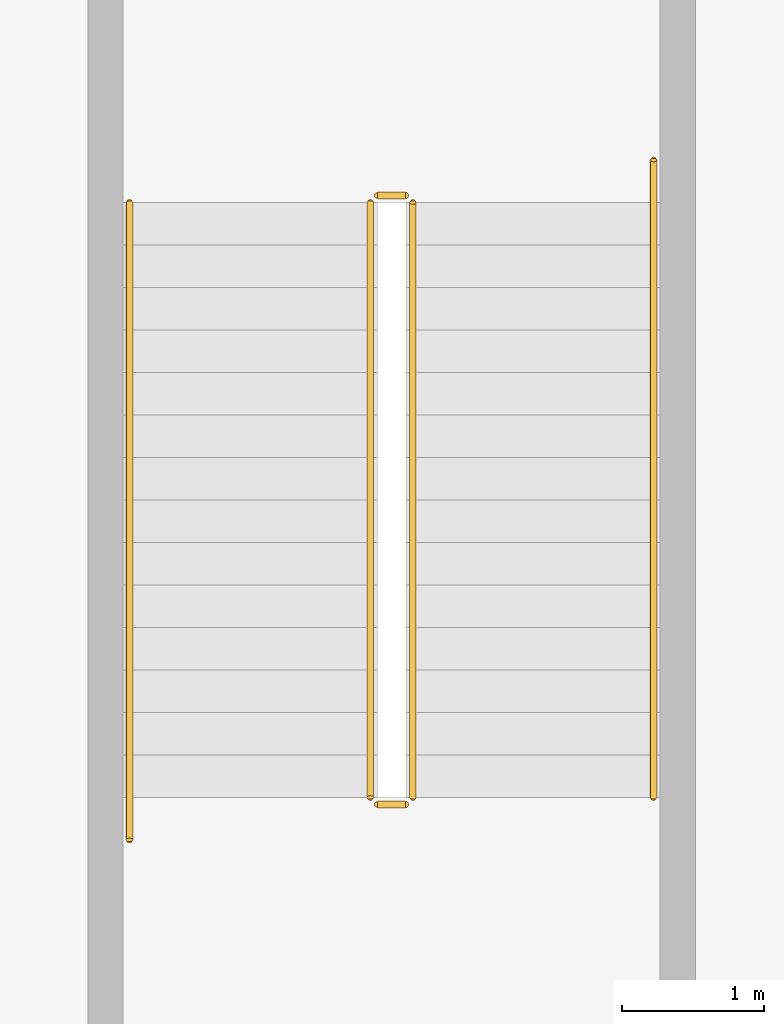
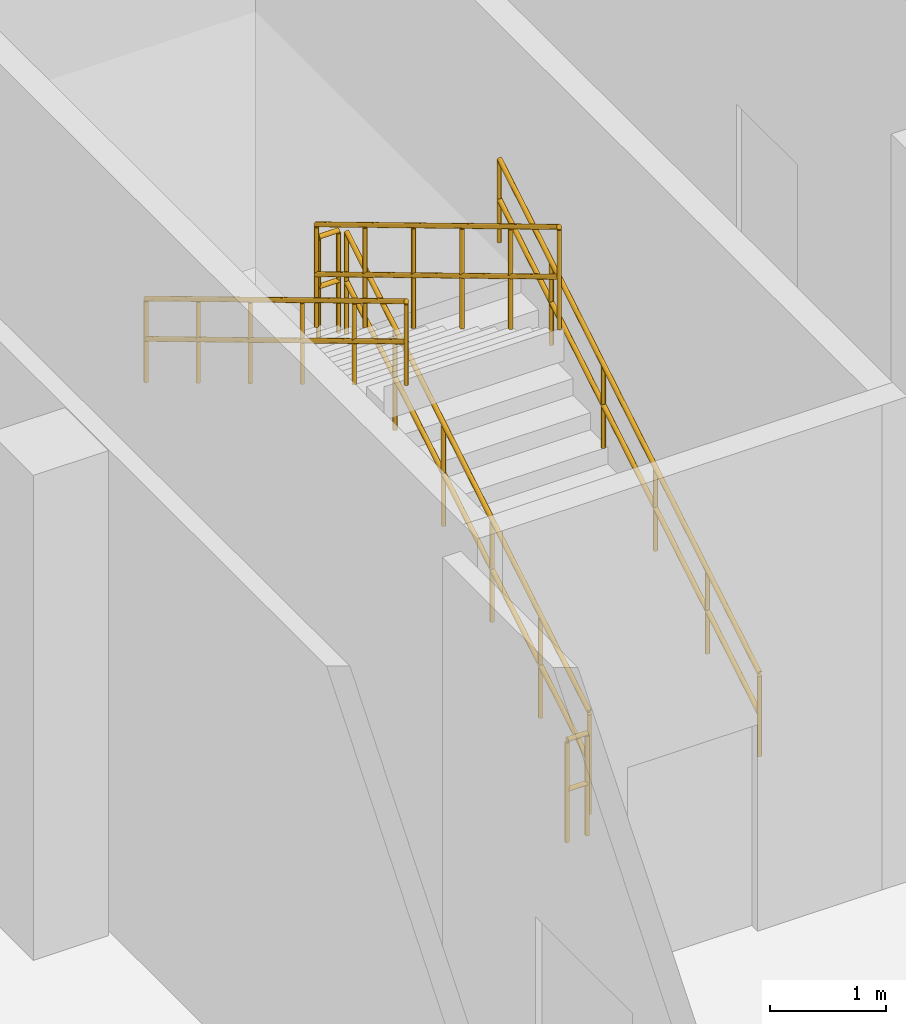
# One storey, part 103 of 103: 6 railings.
"""IFC4 building model written with IfcOpenShell, lengths in metres."""

import ifcopenshell
import ifcopenshell.guid

model = None  # the IFC model being written
_history = None  # IfcOwnerHistory: only IFC2X3 demands one
_inside = {}  # id of a spatial element -> (the spatial element, [elements in it])
_under = {}  # id of a project, library or spatial element -> (it, [spatial elements below it])
_declared = {}  # id of a project -> (the project, [libraries it declares])
_typed = {}  # id of a type object -> (the type object, [elements of that type])
_made_of = {}  # id of a material, layer set ... -> (it, [elements and type objects made of it])


def new_model(schema):
    """Start an empty IFC model of exactly this schema.

    Asked for "IFC4X3", IfcOpenShell would pick the latest addendum, in which some entities
    have other attributes; the version numbers below select the first issue.
    IFC2X3 requires an IfcOwnerHistory on every rooted entity: one is made here for all.
    """
    global model, _history
    if schema == "IFC4X3":
        model = ifcopenshell.file(schema_version=(4, 3, 0, 0))
    else:
        model = ifcopenshell.file(schema=schema)
    _inside.clear()
    _under.clear()
    _declared.clear()
    _typed.clear()
    _made_of.clear()
    _history = None
    if model.schema == "IFC2X3":
        org = make("IfcOrganization", Name="unknown")
        user = make(
            "IfcPersonAndOrganization",
            ThePerson=make("IfcPerson", FamilyName="unknown"),
            TheOrganization=org,
        )
        app = make(
            "IfcApplication",
            ApplicationDeveloper=org,
            Version="unknown",
            ApplicationFullName="unknown",
            ApplicationIdentifier="unknown",
        )
        _history = make(
            "IfcOwnerHistory",
            OwningUser=user,
            OwningApplication=app,
            ChangeAction="ADDED",
            CreationDate=0,
        )
    return model


def make(cls, **values):
    """One entity of the class cls with the attributes given. An attribute that is None is left unset."""
    return model.create_entity(
        cls, **{name: value for name, value in values.items() if value is not None}
    )


def rooted(cls, **values):
    """An entity with a GlobalId (a new one), such as an element, a storey or a relation."""
    return make(cls, GlobalId=ifcopenshell.guid.new(), OwnerHistory=_history, **values)


def si_unit(unit_type, name, prefix=None):
    """IfcSIUnit, for example si_unit("LENGTHUNIT", "METRE", prefix="MILLI")."""
    return make("IfcSIUnit", UnitType=unit_type, Prefix=prefix, Name=name)


def assignment(units):
    """IfcUnitAssignment: the units of a project."""
    return None if units is None else make("IfcUnitAssignment", Units=units)


def point(xyz):
    """IfcCartesianPoint."""
    return None if xyz is None else make("IfcCartesianPoint", Coordinates=xyz)


def direction(xyz):
    """IfcDirection."""
    return None if xyz is None else make("IfcDirection", DirectionRatios=xyz)


def frame(location, z_axis=None, x_axis=None):
    """IfcAxis2Placement3D, a coordinate frame: its origin and axes. An axis left out is left unset."""
    return make(
        "IfcAxis2Placement3D",
        Location=point(location),
        Axis=direction(z_axis),
        RefDirection=direction(x_axis),
    )


def frame_2d(location, x_axis=None):
    """IfcAxis2Placement2D, a coordinate frame in the plane: its origin and x axis."""
    return make(
        "IfcAxis2Placement2D", Location=point(location), RefDirection=direction(x_axis)
    )


def origin():
    """The frame at (0, 0, 0) with its axes left unset."""
    return frame((0.0, 0.0, 0.0))


def origin_2d():
    """The frame at (0, 0) in the plane with its x axis left unset."""
    return frame_2d((0.0, 0.0))


def place(relative_to, where):
    """IfcLocalPlacement: puts the frame where relative to a parent placement (None: the world)."""
    return make(
        "IfcLocalPlacement", PlacementRelTo=relative_to, RelativePlacement=where
    )


def context(
    kind, dimensions, precision=None, world=None, true_north=None, identifier=None
):
    """IfcGeometricRepresentationContext, for example the 3D "Model" context."""
    return make(
        "IfcGeometricRepresentationContext",
        ContextIdentifier=identifier,
        ContextType=kind,
        CoordinateSpaceDimension=dimensions,
        Precision=precision,
        WorldCoordinateSystem=world,
        TrueNorth=true_north,
    )


def subcontext(parent, identifier, kind, view, scale=None):
    """IfcGeometricRepresentationSubContext, for example "Body" below "Model"."""
    return make(
        "IfcGeometricRepresentationSubContext",
        ContextIdentifier=identifier,
        ContextType=kind,
        ParentContext=parent,
        TargetScale=scale,
        TargetView=view,
    )


def project(units=None, contexts=None):
    """IfcProject with its units and contexts."""
    return rooted(
        "IfcProject",
        Name="project",
        RepresentationContexts=contexts,
        UnitsInContext=assignment(units),
    )


def spatial(cls, under=None, at=None, **own):
    """A site, building, storey or space (cls), placed at a placement, below another one or the project."""
    s = rooted(cls, ObjectPlacement=at, **own)
    if under is not None:
        _under.setdefault(under.id(), (under, []))[1].append(s)
    return s


def profile(cls, at=None, kind="AREA", **sizes):
    """A parametric profile (cls). Its sizes go by their IFC names, for example OverallWidth=200.0."""
    return make(cls, ProfileType=kind, Position=at, **sizes)


def circle(**sizes):
    """IfcCircleProfileDef."""
    return profile("IfcCircleProfileDef", **sizes)


def extrude(swept, where, along, depth):
    """IfcExtrudedAreaSolid: the profile swept, set in the frame where, extruded along a direction by depth."""
    return make(
        "IfcExtrudedAreaSolid",
        SweptArea=swept,
        Position=where,
        ExtrudedDirection=direction(along),
        Depth=depth,
    )


def shape(context_of_items, identifier, shape_type, items):
    """IfcShapeRepresentation: the items that make up one representation, for example the "Body"."""
    return make(
        "IfcShapeRepresentation",
        ContextOfItems=context_of_items,
        RepresentationIdentifier=identifier,
        RepresentationType=shape_type,
        Items=items,
    )


def material(Name=None, Category=None):
    """IfcMaterial."""
    return make("IfcMaterial", Name=Name, Category=Category)


def made_of(thing, what):
    """Note that an element or type object is made of a material, layer set ...; save() writes the relation."""
    if what is not None:
        _made_of.setdefault(what.id(), (what, []))[1].append(thing)
    return thing


def type_object(cls, material=None, **own):
    """A type object (cls), such as IfcWallType, which elements share."""
    return made_of(rooted(cls, **own), material)


def element(
    cls,
    number,
    at=None,
    inside=None,
    cuts=None,
    type_object=None,
    material=None,
    context=None,
    identifier="Body",
    shape_type=None,
    held_by="IfcProductDefinitionShape",
    body=None,
    shapes=None,
    **own,
):
    """One element of the class cls, such as IfcWall. Its Tag is "e" and its number.

    at: its placement. inside: the storey or other place that contains it. cuts: it is an
    opening in that element (IfcRelVoidsElement). A single representation is given by context,
    identifier, shape_type and body (its items); several are given by shapes. held_by: the class
    of the entity that holds the representations. save() writes the other relations.
    """
    e = rooted(cls, Tag="e%d" % number, ObjectPlacement=at, **own)
    if body is not None:
        shapes = [shape(context, identifier, shape_type, body)]
    if shapes is not None:
        e.Representation = make(held_by, Representations=shapes)
    if inside is not None:
        _inside.setdefault(inside.id(), (inside, []))[1].append(e)
    if cuts is not None:
        rooted(
            "IfcRelVoidsElement", RelatingBuildingElement=cuts, RelatedOpeningElement=e
        )
    if type_object is not None:
        _typed.setdefault(type_object.id(), (type_object, []))[1].append(e)
    return made_of(e, material)


def aggregate(whole, parts):
    """IfcRelAggregates: a whole, such as a stair, and the parts it consists of."""
    return rooted("IfcRelAggregates", RelatingObject=whole, RelatedObjects=parts)


def save(model, path):
    """Write the relations noted so far, then the file.

    IfcRelAggregates (storeys below a building ...), IfcRelContainedInSpatialStructure (elements
    in a storey), IfcRelDefinesByType, IfcRelAssociatesMaterial and IfcRelDeclares: one each for
    every whole, place, type object, material and project.
    """
    for whole, parts in _under.values():
        aggregate(whole, parts)
    for where, things in _inside.values():
        rooted(
            "IfcRelContainedInSpatialStructure",
            RelatedElements=things,
            RelatingStructure=where,
        )
    for kind, things in _typed.values():
        rooted("IfcRelDefinesByType", RelatedObjects=things, RelatingType=kind)
    for what, things in _made_of.values():
        rooted("IfcRelAssociatesMaterial", RelatedObjects=things, RelatingMaterial=what)
    for by, libraries in _declared.values():
        rooted("IfcRelDeclares", RelatingContext=by, RelatedDefinitions=libraries)
    model.write(path)


model = new_model("IFC4")

# Units and contexts
model_context = context("Model", 3, precision=1e-05, world=origin(), true_north=direction((0.0, 1.0)))
body_context = subcontext(model_context, "Body", "Model", "MODEL_VIEW")
ifc_project = project(units=[si_unit("LENGTHUNIT", "METRE"), si_unit("AREAUNIT", "SQUARE_METRE"), si_unit("VOLUMEUNIT", "CUBIC_METRE"), si_unit("PLANEANGLEUNIT", "RADIAN"), si_unit("MASSUNIT", "GRAM", prefix="KILO")], contexts=[model_context])

# Site, building, storey
site_placement = place(None, origin())
site = spatial("IfcSite", under=ifc_project, at=site_placement, CompositionType="ELEMENT")
building_placement = place(site_placement, origin())
building = spatial("IfcBuilding", under=site, at=building_placement, Name="Marnock Terrace Opera House", CompositionType="ELEMENT")
storey_placement = place(building_placement, origin())
storey = spatial("IfcBuildingStorey", under=building, at=storey_placement, Name="L00", CompositionType="ELEMENT", Elevation=0.0)

# Railings
ifc_material = material(Name="Architectural bronze balustrade")
railing_type_1 = type_object("IfcRailingType", Name="RL-GUARD-1100", PredefinedType="GUARDRAIL", material=ifc_material)
railing_1_placement = place(storey_placement, frame((140.77001953125, 73.919921875, 0.179931640625)))
element("IfcRailing", 1, at=railing_1_placement, inside=storey, type_object=railing_type_1, Name="L00 ST-08 stair guard 1", PredefinedType="GUARDRAIL", context=body_context, shape_type="SweptSolid", body=[
    extrude(circle(Radius=0.02392578125, at=origin_2d()), frame((0.0, 0.0, 1.076171875), z_axis=(0.0, 0.857501721439, 0.514481095599), x_axis=(-1.0, 0.0, 0.0)), (0.0, 0.0, 1.0), 4.898193359375),
    extrude(circle(Radius=0.02392578125, at=origin_2d()), frame((0.0, 0.0, 0.550048828125), z_axis=(0.0, 0.857501721439, 0.514481095599), x_axis=(-1.0, 0.0, 0.0)), (0.0, 0.0, 1.0), 4.898193359375),
    extrude(circle(Radius=0.02099609375, at=origin_2d()), origin(), (0.0, 0.0, 1.0), 1.052001953125),
    extrude(circle(Radius=0.02099609375, at=origin_2d()), frame((0.0, 0.840087890625, 0.50390625)), (0.0, 0.0, 1.0), 1.052001953125),
    extrude(circle(Radius=0.02099609375, at=origin_2d()), frame((0.0, 1.68017578125, 1.008056640625)), (0.0, 0.0, 1.0), 1.052001953125),
    extrude(circle(Radius=0.02099609375, at=origin_2d()), frame((0.0, 2.52001953125, 1.511962890625)), (0.0, 0.0, 1.0), 1.052001953125),
    extrude(circle(Radius=0.02099609375, at=origin_2d()), frame((0.0, 3.360107421875, 2.01611328125)), (0.0, 0.0, 1.0), 1.052001953125),
    extrude(circle(Radius=0.02099609375, at=origin_2d()), frame((0.0, 4.2001953125, 2.52001953125)), (0.0, 0.0, 1.0), 1.052001953125),
])
railing_2_placement = place(storey_placement, frame((140.719970703125, 78.169921875, 2.699951171875)))
element("IfcRailing", 2, at=railing_2_placement, inside=storey, type_object=railing_type_1, Name="L00 ST-08 stair guard 2", PredefinedType="GUARDRAIL", context=body_context, shape_type="SweptSolid", body=[
    extrude(circle(Radius=0.02392578125, at=origin_2d()), frame((0.0, 0.0, 1.076171875), z_axis=(-1.0, 0.0, 0.0), x_axis=(0.0, -1.0, 0.0)), (0.0, 0.0, 1.0), 0.199951171875),
    extrude(circle(Radius=0.02392578125, at=origin_2d()), frame((0.0, 0.0, 0.550048828125), z_axis=(-1.0, 0.0, 0.0), x_axis=(0.0, -1.0, 0.0)), (0.0, 0.0, 1.0), 0.199951171875),
    extrude(circle(Radius=0.02099609375, at=origin_2d()), origin(), (0.0, 0.0, 1.0), 1.052001953125),
    extrude(circle(Radius=0.02099609375, at=origin_2d()), frame((-0.199951171875, 0.0, 0.0)), (0.0, 0.0, 1.0), 1.052001953125),
])
railing_3_placement = place(storey_placement, frame((140.469970703125, 78.1201171875, 2.8798828125)))
element("IfcRailing", 3, at=railing_3_placement, inside=storey, type_object=railing_type_1, Name="L00 ST-08 stair guard 3", PredefinedType="GUARDRAIL", context=body_context, shape_type="SweptSolid", body=[
    extrude(circle(Radius=0.02392578125, at=origin_2d()), frame((0.0, 0.0, 1.076171875), z_axis=(0.0, -0.857501721439, 0.514481095599), x_axis=(1.0, 0.0, 0.0)), (0.0, 0.0, 1.0), 4.898193359375),
    extrude(circle(Radius=0.02392578125, at=origin_2d()), frame((0.0, 0.0, 0.550048828125), z_axis=(0.0, -0.857501721439, 0.514481095599), x_axis=(1.0, 0.0, 0.0)), (0.0, 0.0, 1.0), 4.898193359375),
    extrude(circle(Radius=0.02099609375, at=origin_2d()), origin(), (0.0, 0.0, 1.0), 1.052001953125),
    extrude(circle(Radius=0.02099609375, at=origin_2d()), frame((0.0, -0.840087890625, 0.50390625)), (0.0, 0.0, 1.0), 1.052001953125),
    extrude(circle(Radius=0.02099609375, at=origin_2d()), frame((0.0, -1.68017578125, 1.008056640625)), (0.0, 0.0, 1.0), 1.052001953125),
    extrude(circle(Radius=0.02099609375, at=origin_2d()), frame((0.0, -2.52001953125, 1.511962890625)), (0.0, 0.0, 1.0), 1.052001953125),
    extrude(circle(Radius=0.02099609375, at=origin_2d()), frame((0.0, -3.360107421875, 2.01611328125)), (0.0, 0.0, 1.0), 1.052001953125),
    extrude(circle(Radius=0.02099609375, at=origin_2d()), frame((0.0, -4.2001953125, 2.52001953125)), (0.0, 0.0, 1.0), 1.052001953125),
])
railing_4_placement = place(storey_placement, frame((140.719970703125, 73.8701171875, 0.0)))
element("IfcRailing", 4, at=railing_4_placement, inside=storey, type_object=railing_type_1, Name="L00 ST-08 stair guard 4", PredefinedType="GUARDRAIL", context=body_context, shape_type="SweptSolid", body=[
    extrude(circle(Radius=0.02392578125, at=origin_2d()), frame((0.0, 0.0, 1.076171875), z_axis=(-1.0, 0.0, 0.0), x_axis=(0.0, -1.0, 0.0)), (0.0, 0.0, 1.0), 0.199951171875),
    extrude(circle(Radius=0.02392578125, at=origin_2d()), frame((0.0, 0.0, 0.550048828125), z_axis=(-1.0, 0.0, 0.0), x_axis=(0.0, -1.0, 0.0)), (0.0, 0.0, 1.0), 0.199951171875),
    extrude(circle(Radius=0.02099609375, at=origin_2d()), origin(), (0.0, 0.0, 1.0), 1.052001953125),
    extrude(circle(Radius=0.02099609375, at=origin_2d()), frame((-0.199951171875, 0.0, 0.0)), (0.0, 0.0, 1.0), 1.052001953125),
])
railing_type_2 = type_object("IfcRailingType", Name="RL-HAND-900", PredefinedType="HANDRAIL", material=ifc_material)
railing_5_placement = place(storey_placement, frame((142.469970703125, 73.919921875, 0.19189453125)))
element("IfcRailing", 5, at=railing_5_placement, inside=storey, type_object=railing_type_2, Name="L00 ST-08 stair handrail 1", PredefinedType="HANDRAIL", context=body_context, shape_type="SweptSolid", body=[
    extrude(circle(Radius=0.02392578125, at=origin_2d()), frame((0.0, 0.0, 0.8759765625), z_axis=(0.0, 0.857476506072, 0.514523120505), x_axis=(-1.0, 0.0, 0.0)), (0.0, 0.0, 1.0), 5.248046875),
    extrude(circle(Radius=0.02392578125, at=origin_2d()), frame((0.0, 0.0, 0.449951171875), z_axis=(0.0, 0.857476506072, 0.514523120505), x_axis=(-1.0, 0.0, 0.0)), (0.0, 0.0, 1.0), 5.248046875),
    extrude(circle(Radius=0.02099609375, at=origin_2d()), origin(), (0.0, 0.0, 1.0), 0.851806640625),
    extrude(circle(Radius=0.02099609375, at=origin_2d()), frame((0.0, 0.89990234375, 0.5400390625)), (0.0, 0.0, 1.0), 0.851806640625),
    extrude(circle(Radius=0.02099609375, at=origin_2d()), frame((0.0, 1.800048828125, 1.080078125)), (0.0, 0.0, 1.0), 0.851806640625),
    extrude(circle(Radius=0.02099609375, at=origin_2d()), frame((0.0, 2.699951171875, 1.6201171875)), (0.0, 0.0, 1.0), 0.851806640625),
    extrude(circle(Radius=0.02099609375, at=origin_2d()), frame((0.0, 3.60009765625, 2.16015625)), (0.0, 0.0, 1.0), 0.851806640625),
    extrude(circle(Radius=0.02099609375, at=origin_2d()), frame((0.0, 4.5, 2.7001953125)), (0.0, 0.0, 1.0), 0.851806640625),
])
railing_6_placement = place(storey_placement, frame((138.77001953125, 78.1201171875, 2.89208984375)))
element("IfcRailing", 6, at=railing_6_placement, inside=storey, type_object=railing_type_2, Name="L00 ST-08 stair handrail 2", PredefinedType="HANDRAIL", context=body_context, shape_type="SweptSolid", body=[
    extrude(circle(Radius=0.02392578125, at=origin_2d()), frame((0.0, 0.0, 0.8759765625), z_axis=(0.0, -0.857497030584, 0.514488913912), x_axis=(1.0, 0.0, 0.0)), (0.0, 0.0, 1.0), 5.247802734375),
    extrude(circle(Radius=0.02392578125, at=origin_2d()), frame((0.0, 0.0, 0.449951171875), z_axis=(0.0, -0.857497030584, 0.514488913912), x_axis=(1.0, 0.0, 0.0)), (0.0, 0.0, 1.0), 5.247802734375),
    extrude(circle(Radius=0.02099609375, at=origin_2d()), origin(), (0.0, 0.0, 1.0), 0.851806640625),
    extrude(circle(Radius=0.02099609375, at=origin_2d()), frame((0.0, -0.89990234375, 0.5400390625)), (0.0, 0.0, 1.0), 0.851806640625),
    extrude(circle(Radius=0.02099609375, at=origin_2d()), frame((0.0, -1.800048828125, 1.080078125)), (0.0, 0.0, 1.0), 0.851806640625),
    extrude(circle(Radius=0.02099609375, at=origin_2d()), frame((0.0, -2.699951171875, 1.619873046875)), (0.0, 0.0, 1.0), 0.851806640625),
    extrude(circle(Radius=0.02099609375, at=origin_2d()), frame((0.0, -3.60009765625, 2.159912109375)), (0.0, 0.0, 1.0), 0.851806640625),
    extrude(circle(Radius=0.02099609375, at=origin_2d()), frame((0.0, -4.5, 2.699951171875)), (0.0, 0.0, 1.0), 0.851806640625),
])

save(model, "model.ifc")
